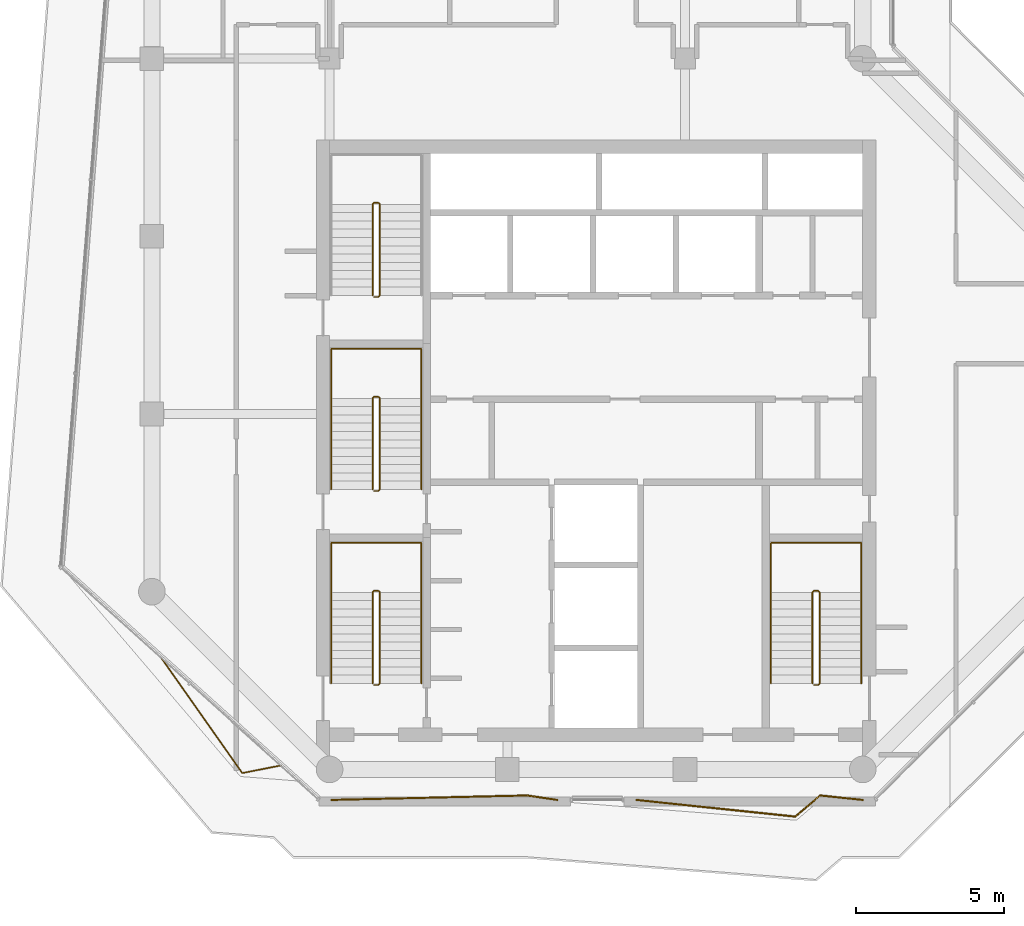
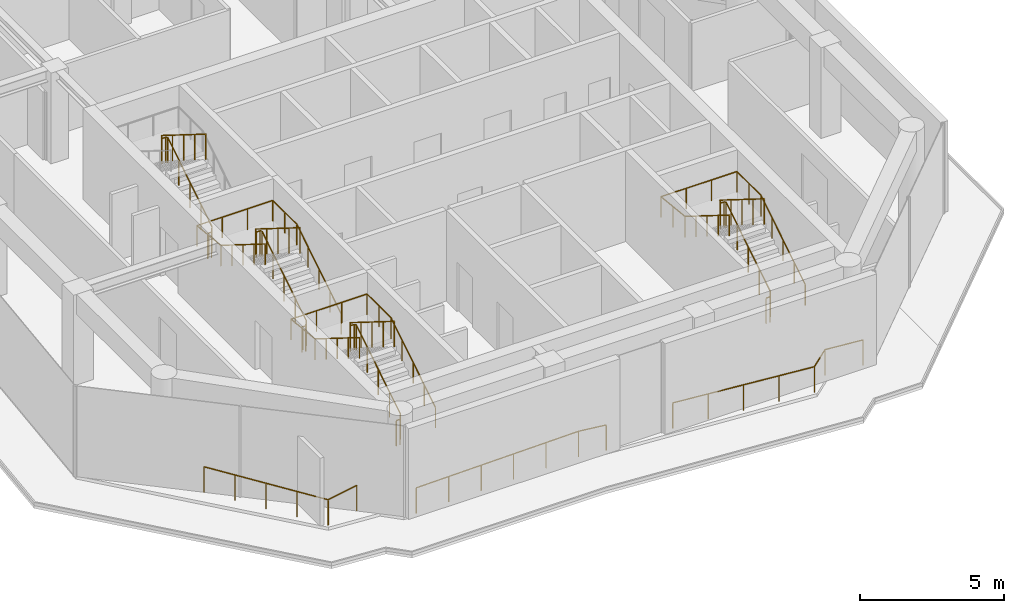
# One storey, part 22 of 23: 10 railings.
"""IFC4 building model written with IfcOpenShell, lengths in metres."""

from ifc_helpers import new_model, si_unit, direction, frame, origin, origin_2d, place, context, subcontext, project, spatial, circle, extrude, material, type_object, element, save


model = new_model("IFC4")

# Units and contexts
model_context = context("Model", 3, precision=1e-05, world=origin(), true_north=direction((0.0, 1.0)))
body_context = subcontext(model_context, "Body", "Model", "MODEL_VIEW")
ifc_project = project(units=[si_unit("LENGTHUNIT", "METRE"), si_unit("AREAUNIT", "SQUARE_METRE"), si_unit("VOLUMEUNIT", "CUBIC_METRE"), si_unit("PLANEANGLEUNIT", "RADIAN"), si_unit("MASSUNIT", "GRAM", prefix="KILO")], contexts=[model_context])

# Site, building, storey
site_placement = place(None, origin())
site = spatial("IfcSite", under=ifc_project, at=site_placement, CompositionType="ELEMENT")
building_placement = place(site_placement, origin())
building = spatial("IfcBuilding", under=site, at=building_placement, Name="Welwitschia Terrace Campus", CompositionType="ELEMENT")
storey_placement = place(building_placement, frame((0.0, 0.0, 247.39990234375)))
storey = spatial("IfcBuildingStorey", under=building, at=storey_placement, Name="L55", CompositionType="ELEMENT", Elevation=247.39990234375)

# Railings
ifc_material_1 = material(Name="Stainless steel grade 316", Category="steel")
railing_type_1 = type_object("IfcRailingType", Name="Guard 1100", PredefinedType="GUARDRAIL", material=ifc_material_1)
railing_1_placement = place(storey_placement, frame((4.349609375, 4.132568359375, 0.0)))
element("IfcRailing", 1, at=railing_1_placement, inside=storey, type_object=railing_type_1, Name="Guard floor edge L55.1", PredefinedType="GUARDRAIL", context=body_context, shape_type="SweptSolid", body=[
    extrude(circle(Radius=0.02392578125, at=origin_2d()), frame((0.0, 0.0, 1.076171875), z_axis=(-0.981137142736, -0.193312977174, 0.0), x_axis=(0.193312977174, -0.981137142736, 0.0)), (0.0, 0.0, 1.0), 1.323486328125),
    extrude(circle(Radius=0.02392578125, at=origin_2d()), frame((-1.298583984375, -0.255859375, 1.076171875), z_axis=(-0.575272240277, 0.817962009855, 0.0), x_axis=(-0.817962009855, -0.575272240277, 0.0)), (0.0, 0.0, 1.0), 4.75830078125),
    extrude(circle(Radius=0.02099609375, at=origin_2d()), origin(), (0.0, 0.0, 1.0), 1.052001953125),
    extrude(circle(Radius=0.02099609375, at=origin_2d()), frame((-1.298583984375, -0.255859375, 0.0)), (0.0, 0.0, 1.0), 1.052001953125),
    extrude(circle(Radius=0.02099609375, at=origin_2d()), frame((-1.98291015625, 0.71728515625, 0.0)), (0.0, 0.0, 1.0), 1.052001953125),
    extrude(circle(Radius=0.02099609375, at=origin_2d()), frame((-2.667236328125, 1.690185546875, 0.0)), (0.0, 0.0, 1.0), 1.052001953125),
    extrude(circle(Radius=0.02099609375, at=origin_2d()), frame((-3.3515625, 2.6630859375, 0.0)), (0.0, 0.0, 1.0), 1.052001953125),
    extrude(circle(Radius=0.02099609375, at=origin_2d()), frame((-4.035888671875, 3.63623046875, 0.0)), (0.0, 0.0, 1.0), 1.052001953125),
])
railing_2_placement = place(storey_placement, frame((13.689208984375, 2.969970703125, 0.0)))
element("IfcRailing", 2, at=railing_2_placement, inside=storey, type_object=railing_type_1, Name="Guard floor edge L55.2", PredefinedType="GUARDRAIL", context=body_context, shape_type="SweptSolid", body=[
    extrude(circle(Radius=0.02392578125, at=origin_2d()), frame((0.0, 0.0, 1.076171875), z_axis=(-0.989404064902, 0.145188141235, 0.0), x_axis=(-0.145188141235, -0.989404064902, 0.0)), (0.0, 0.0, 1.0), 1.0341796875),
    extrude(circle(Radius=0.02392578125, at=origin_2d()), frame((-1.023193359375, 0.150146484375, 1.076171875), z_axis=(-0.999741491879, -0.022736521615, 0.0), x_axis=(0.022736521615, -0.999741491879, 0.0)), (0.0, 0.0, 1.0), 6.603759765625),
    extrude(circle(Radius=0.02099609375, at=origin_2d()), origin(), (0.0, 0.0, 1.0), 1.052001953125),
    extrude(circle(Radius=0.02099609375, at=origin_2d()), frame((-1.023193359375, 0.150146484375, 0.0)), (0.0, 0.0, 1.0), 1.052001953125),
    extrude(circle(Radius=0.02099609375, at=origin_2d()), frame((-2.343505859375, 0.1201171875, 0.0)), (0.0, 0.0, 1.0), 1.052001953125),
    extrude(circle(Radius=0.02099609375, at=origin_2d()), frame((-3.6640625, 0.090087890625, 0.0)), (0.0, 0.0, 1.0), 1.052001953125),
    extrude(circle(Radius=0.02099609375, at=origin_2d()), frame((-4.984375, 0.06005859375, 0.0)), (0.0, 0.0, 1.0), 1.052001953125),
    extrude(circle(Radius=0.02099609375, at=origin_2d()), frame((-6.304931640625, 0.030029296875, 0.0)), (0.0, 0.0, 1.0), 1.052001953125),
    extrude(circle(Radius=0.02099609375, at=origin_2d()), frame((-7.625244140625, 0.0, 0.0)), (0.0, 0.0, 1.0), 1.052001953125),
])
railing_3_placement = place(storey_placement, frame((24.0029296875, 2.969970703125, 0.0)))
element("IfcRailing", 3, at=railing_3_placement, inside=storey, type_object=railing_type_1, Name="Guard floor edge L55.4", PredefinedType="GUARDRAIL", context=body_context, shape_type="SweptSolid", body=[
    extrude(circle(Radius=0.02392578125, at=origin_2d()), frame((0.0, 0.0, 1.076171875), z_axis=(-0.994652604012, 0.103277283719, 0.0), x_axis=(-0.103277283719, -0.994652604012, 0.0)), (0.0, 0.0, 1.0), 1.453857421875),
    extrude(circle(Radius=0.02392578125, at=origin_2d()), frame((-1.446044921875, 0.150146484375, 1.076171875), z_axis=(-0.76032332533, -0.649544795191, 0.0), x_axis=(0.649544795191, -0.76032332533, 0.0)), (0.0, 0.0, 1.0), 1.097412109375),
    extrude(circle(Radius=0.02392578125, at=origin_2d()), frame((-2.280517578125, -0.562744140625, 1.076171875), z_axis=(-0.99453790908, 0.104375990549, 0.0), x_axis=(-0.104375990549, -0.99453790908, 0.0)), (0.0, 0.0, 1.0), 5.3916015625),
    extrude(circle(Radius=0.02099609375, at=origin_2d()), origin(), (0.0, 0.0, 1.0), 1.052001953125),
    extrude(circle(Radius=0.02099609375, at=origin_2d()), frame((-1.446044921875, 0.150146484375, 0.0)), (0.0, 0.0, 1.0), 1.052001953125),
    extrude(circle(Radius=0.02099609375, at=origin_2d()), frame((-2.280517578125, -0.562744140625, 0.0)), (0.0, 0.0, 1.0), 1.052001953125),
    extrude(circle(Radius=0.02099609375, at=origin_2d()), frame((-3.62109375, -0.422119140625, 0.0)), (0.0, 0.0, 1.0), 1.052001953125),
    extrude(circle(Radius=0.02099609375, at=origin_2d()), frame((-4.96142578125, -0.28125, 0.0)), (0.0, 0.0, 1.0), 1.052001953125),
    extrude(circle(Radius=0.02099609375, at=origin_2d()), frame((-6.302001953125, -0.140625, 0.0)), (0.0, 0.0, 1.0), 1.052001953125),
    extrude(circle(Radius=0.02099609375, at=origin_2d()), frame((-7.642578125, 0.0, 0.0)), (0.0, 0.0, 1.0), 1.052001953125),
])
ifc_material_2 = material(Name="Steel S355", Category="steel")
railing_type_2 = type_object("IfcRailingType", Name="Stair guard 1100", PredefinedType="GUARDRAIL", material=ifc_material_2)
railing_4_placement = place(storey_placement, frame((7.5, 6.85009765625, 0.0)))
element("IfcRailing", 4, at=railing_4_placement, inside=storey, type_object=railing_type_2, Name="L55 S1 stair guard", PredefinedType="GUARDRAIL", context=body_context, shape_type="SweptSolid", body=[
    extrude(circle(Radius=0.02392578125, at=origin_2d()), frame((0.0, 0.0, 1.076171875), z_axis=(1.0, 0.0, 0.0), x_axis=(0.0, 1.0, 0.0)), (0.0, 0.0, 1.0), 0.14990234375),
    extrude(circle(Radius=0.02392578125, at=origin_2d()), frame((0.14990234375, 0.0, 1.076171875), z_axis=(0.265155923931, 0.263862480399, 0.927399011991), x_axis=(-0.705375805398, 0.708833529934, 0.0)), (0.0, 0.0, 1.0), 0.188720703125),
    extrude(circle(Radius=0.02392578125, at=origin_2d()), frame((0.199951171875, 0.0498046875, 1.2509765625), z_axis=(0.0, 0.847998304005, 0.529998940003), x_axis=(-1.0, 0.0, 0.0)), (0.0, 0.0, 1.0), 3.632080078125),
    extrude(circle(Radius=0.02392578125, at=origin_2d()), frame((0.199951171875, 3.1298828125, 3.17626953125), z_axis=(-0.707106781187, 0.707106781187, 0.0), x_axis=(-0.707106781187, -0.707106781187, 0.0)), (0.0, 0.0, 1.0), 0.07080078125),
    extrude(circle(Radius=0.02392578125, at=origin_2d()), frame((0.14990234375, 3.179931640625, 3.17626953125), z_axis=(-1.0, 0.0, 0.0), x_axis=(0.0, -1.0, 0.0)), (0.0, 0.0, 1.0), 0.14990234375),
    extrude(circle(Radius=0.02392578125, at=origin_2d()), frame((0.0, 3.179931640625, 3.17626953125), z_axis=(-0.265065253269, -0.265065253269, 0.927081885822), x_axis=(0.707106781187, -0.707106781187, 0.0)), (0.0, 0.0, 1.0), 0.188720703125),
    extrude(circle(Radius=0.02392578125, at=origin_2d()), frame((-0.050048828125, 3.1298828125, 3.35107421875), z_axis=(0.0, -0.847998304005, 0.529998940003), x_axis=(1.0, 0.0, 0.0)), (0.0, 0.0, 1.0), 3.632080078125),
    extrude(circle(Radius=0.02099609375, at=origin_2d()), origin(), (0.0, 0.0, 1.0), 1.052001953125),
    extrude(circle(Radius=0.02099609375, at=origin_2d()), frame((0.14990234375, 0.0, 0.0)), (0.0, 0.0, 1.0), 1.052001953125),
    extrude(circle(Radius=0.02099609375, at=origin_2d()), frame((0.199951171875, 0.0498046875, 0.175048828125)), (0.0, 0.0, 1.0), 1.052001953125),
    extrude(circle(Radius=0.02099609375, at=origin_2d()), frame((0.199951171875, 0.81982421875, 0.65625)), (0.0, 0.0, 1.0), 1.052001953125),
    extrude(circle(Radius=0.02099609375, at=origin_2d()), frame((0.199951171875, 1.58984375, 1.1376953125)), (0.0, 0.0, 1.0), 1.052001953125),
    extrude(circle(Radius=0.02099609375, at=origin_2d()), frame((0.199951171875, 2.35986328125, 1.618896484375)), (0.0, 0.0, 1.0), 1.052001953125),
    extrude(circle(Radius=0.02099609375, at=origin_2d()), frame((0.199951171875, 3.1298828125, 2.10009765625)), (0.0, 0.0, 1.0), 1.052001953125),
    extrude(circle(Radius=0.02099609375, at=origin_2d()), frame((0.14990234375, 3.179931640625, 2.10009765625)), (0.0, 0.0, 1.0), 1.052001953125),
    extrude(circle(Radius=0.02099609375, at=origin_2d()), frame((0.0, 3.179931640625, 2.10009765625)), (0.0, 0.0, 1.0), 1.052001953125),
    extrude(circle(Radius=0.02099609375, at=origin_2d()), frame((-0.050048828125, 3.1298828125, 2.275146484375)), (0.0, 0.0, 1.0), 1.052001953125),
    extrude(circle(Radius=0.02099609375, at=origin_2d()), frame((-0.050048828125, 2.35986328125, 2.75634765625)), (0.0, 0.0, 1.0), 1.052001953125),
    extrude(circle(Radius=0.02099609375, at=origin_2d()), frame((-0.050048828125, 1.58984375, 3.23779296875)), (0.0, 0.0, 1.0), 1.052001953125),
    extrude(circle(Radius=0.02099609375, at=origin_2d()), frame((-0.050048828125, 0.81982421875, 3.718994140625)), (0.0, 0.0, 1.0), 1.052001953125),
    extrude(circle(Radius=0.02099609375, at=origin_2d()), frame((-0.050048828125, 0.0498046875, 4.2001953125)), (0.0, 0.0, 1.0), 1.052001953125),
])
railing_5_placement = place(storey_placement, frame((7.5, 13.39990234375, 0.0)))
element("IfcRailing", 5, at=railing_5_placement, inside=storey, type_object=railing_type_2, Name="L55 S3 stair guard", PredefinedType="GUARDRAIL", context=body_context, shape_type="SweptSolid", body=[
    extrude(circle(Radius=0.02392578125, at=origin_2d()), frame((0.0, 0.0, 1.076171875), z_axis=(1.0, 0.0, 0.0), x_axis=(0.0, 1.0, 0.0)), (0.0, 0.0, 1.0), 0.14990234375),
    extrude(circle(Radius=0.02392578125, at=origin_2d()), frame((0.14990234375, 0.0, 1.076171875), z_axis=(0.265065253269, 0.265065253269, 0.927081885822), x_axis=(-0.707106781187, 0.707106781187, 0.0)), (0.0, 0.0, 1.0), 0.188720703125),
    extrude(circle(Radius=0.02392578125, at=origin_2d()), frame((0.199951171875, 0.050048828125, 1.2509765625), z_axis=(0.0, 0.847998304005, 0.529998940003), x_axis=(-1.0, 0.0, 0.0)), (0.0, 0.0, 1.0), 3.632080078125),
    extrude(circle(Radius=0.02392578125, at=origin_2d()), frame((0.199951171875, 3.130126953125, 3.17626953125), z_axis=(-0.707106781187, 0.707106781187, 0.0), x_axis=(-0.707106781187, -0.707106781187, 0.0)), (0.0, 0.0, 1.0), 0.07080078125),
    extrude(circle(Radius=0.02392578125, at=origin_2d()), frame((0.14990234375, 3.18017578125, 3.17626953125), z_axis=(-1.0, 0.0, 0.0), x_axis=(0.0, -1.0, 0.0)), (0.0, 0.0, 1.0), 0.14990234375),
    extrude(circle(Radius=0.02392578125, at=origin_2d()), frame((0.0, 3.18017578125, 3.17626953125), z_axis=(-0.265065253269, -0.265065253269, 0.927081885822), x_axis=(0.707106781187, -0.707106781187, 0.0)), (0.0, 0.0, 1.0), 0.188720703125),
    extrude(circle(Radius=0.02392578125, at=origin_2d()), frame((-0.050048828125, 3.130126953125, 3.35107421875), z_axis=(0.0, -0.847998304005, 0.529998940003), x_axis=(1.0, 0.0, 0.0)), (0.0, 0.0, 1.0), 3.632080078125),
    extrude(circle(Radius=0.02099609375, at=origin_2d()), origin(), (0.0, 0.0, 1.0), 1.052001953125),
    extrude(circle(Radius=0.02099609375, at=origin_2d()), frame((0.14990234375, 0.0, 0.0)), (0.0, 0.0, 1.0), 1.052001953125),
    extrude(circle(Radius=0.02099609375, at=origin_2d()), frame((0.199951171875, 0.050048828125, 0.175048828125)), (0.0, 0.0, 1.0), 1.052001953125),
    extrude(circle(Radius=0.02099609375, at=origin_2d()), frame((0.199951171875, 0.820068359375, 0.65625)), (0.0, 0.0, 1.0), 1.052001953125),
    extrude(circle(Radius=0.02099609375, at=origin_2d()), frame((0.199951171875, 1.590087890625, 1.1376953125)), (0.0, 0.0, 1.0), 1.052001953125),
    extrude(circle(Radius=0.02099609375, at=origin_2d()), frame((0.199951171875, 2.360107421875, 1.618896484375)), (0.0, 0.0, 1.0), 1.052001953125),
    extrude(circle(Radius=0.02099609375, at=origin_2d()), frame((0.199951171875, 3.130126953125, 2.10009765625)), (0.0, 0.0, 1.0), 1.052001953125),
    extrude(circle(Radius=0.02099609375, at=origin_2d()), frame((0.14990234375, 3.18017578125, 2.10009765625)), (0.0, 0.0, 1.0), 1.052001953125),
    extrude(circle(Radius=0.02099609375, at=origin_2d()), frame((0.0, 3.18017578125, 2.10009765625)), (0.0, 0.0, 1.0), 1.052001953125),
    extrude(circle(Radius=0.02099609375, at=origin_2d()), frame((-0.050048828125, 3.130126953125, 2.275146484375)), (0.0, 0.0, 1.0), 1.052001953125),
    extrude(circle(Radius=0.02099609375, at=origin_2d()), frame((-0.050048828125, 2.360107421875, 2.75634765625)), (0.0, 0.0, 1.0), 1.052001953125),
    extrude(circle(Radius=0.02099609375, at=origin_2d()), frame((-0.050048828125, 1.590087890625, 3.23779296875)), (0.0, 0.0, 1.0), 1.052001953125),
    extrude(circle(Radius=0.02099609375, at=origin_2d()), frame((-0.050048828125, 0.820068359375, 3.718994140625)), (0.0, 0.0, 1.0), 1.052001953125),
    extrude(circle(Radius=0.02099609375, at=origin_2d()), frame((-0.050048828125, 0.050048828125, 4.2001953125)), (0.0, 0.0, 1.0), 1.052001953125),
])
railing_6_placement = place(storey_placement, frame((7.5, 19.949951171875, 0.0)))
element("IfcRailing", 6, at=railing_6_placement, inside=storey, type_object=railing_type_2, Name="L55 S4 stair guard", PredefinedType="GUARDRAIL", context=body_context, shape_type="SweptSolid", body=[
    extrude(circle(Radius=0.02392578125, at=origin_2d()), frame((0.0, 0.0, 1.076171875), z_axis=(1.0, 0.0, 0.0), x_axis=(0.0, 1.0, 0.0)), (0.0, 0.0, 1.0), 0.14990234375),
    extrude(circle(Radius=0.02392578125, at=origin_2d()), frame((0.14990234375, 0.0, 1.076171875), z_axis=(0.265065253269, 0.265065253269, 0.927081885822), x_axis=(-0.707106781187, 0.707106781187, 0.0)), (0.0, 0.0, 1.0), 0.188720703125),
    extrude(circle(Radius=0.02392578125, at=origin_2d()), frame((0.199951171875, 0.050048828125, 1.2509765625), z_axis=(0.0, 0.847998304005, 0.529998940003), x_axis=(-1.0, 0.0, 0.0)), (0.0, 0.0, 1.0), 3.632080078125),
    extrude(circle(Radius=0.02392578125, at=origin_2d()), frame((0.199951171875, 3.130126953125, 3.17626953125), z_axis=(-0.708833529934, 0.705375805398, 0.0), x_axis=(-0.705375805398, -0.708833529934, 0.0)), (0.0, 0.0, 1.0), 0.070556640625),
    extrude(circle(Radius=0.02392578125, at=origin_2d()), frame((0.14990234375, 3.179931640625, 3.17626953125), z_axis=(-1.0, 0.0, 0.0), x_axis=(0.0, -1.0, 0.0)), (0.0, 0.0, 1.0), 0.14990234375),
    extrude(circle(Radius=0.02392578125, at=origin_2d()), frame((0.0, 3.179931640625, 3.17626953125), z_axis=(-0.265155923931, -0.263862480399, 0.927399011991), x_axis=(0.705375805398, -0.708833529934, 0.0)), (0.0, 0.0, 1.0), 0.188720703125),
    extrude(circle(Radius=0.02392578125, at=origin_2d()), frame((-0.050048828125, 3.130126953125, 3.35107421875), z_axis=(0.0, -0.847998304005, 0.529998940003), x_axis=(1.0, 0.0, 0.0)), (0.0, 0.0, 1.0), 3.632080078125),
    extrude(circle(Radius=0.02099609375, at=origin_2d()), origin(), (0.0, 0.0, 1.0), 1.052001953125),
    extrude(circle(Radius=0.02099609375, at=origin_2d()), frame((0.14990234375, 0.0, 0.0)), (0.0, 0.0, 1.0), 1.052001953125),
    extrude(circle(Radius=0.02099609375, at=origin_2d()), frame((0.199951171875, 0.050048828125, 0.175048828125)), (0.0, 0.0, 1.0), 1.052001953125),
    extrude(circle(Radius=0.02099609375, at=origin_2d()), frame((0.199951171875, 0.820068359375, 0.65625)), (0.0, 0.0, 1.0), 1.052001953125),
    extrude(circle(Radius=0.02099609375, at=origin_2d()), frame((0.199951171875, 1.590087890625, 1.1376953125)), (0.0, 0.0, 1.0), 1.052001953125),
    extrude(circle(Radius=0.02099609375, at=origin_2d()), frame((0.199951171875, 2.360107421875, 1.618896484375)), (0.0, 0.0, 1.0), 1.052001953125),
    extrude(circle(Radius=0.02099609375, at=origin_2d()), frame((0.199951171875, 3.130126953125, 2.10009765625)), (0.0, 0.0, 1.0), 1.052001953125),
    extrude(circle(Radius=0.02099609375, at=origin_2d()), frame((0.14990234375, 3.179931640625, 2.10009765625)), (0.0, 0.0, 1.0), 1.052001953125),
    extrude(circle(Radius=0.02099609375, at=origin_2d()), frame((0.0, 3.179931640625, 2.10009765625)), (0.0, 0.0, 1.0), 1.052001953125),
    extrude(circle(Radius=0.02099609375, at=origin_2d()), frame((-0.050048828125, 3.130126953125, 2.275146484375)), (0.0, 0.0, 1.0), 1.052001953125),
    extrude(circle(Radius=0.02099609375, at=origin_2d()), frame((-0.050048828125, 2.360107421875, 2.75634765625)), (0.0, 0.0, 1.0), 1.052001953125),
    extrude(circle(Radius=0.02099609375, at=origin_2d()), frame((-0.050048828125, 1.590087890625, 3.23779296875)), (0.0, 0.0, 1.0), 1.052001953125),
    extrude(circle(Radius=0.02099609375, at=origin_2d()), frame((-0.050048828125, 0.820068359375, 3.718994140625)), (0.0, 0.0, 1.0), 1.052001953125),
    extrude(circle(Radius=0.02099609375, at=origin_2d()), frame((-0.050048828125, 0.050048828125, 4.2001953125)), (0.0, 0.0, 1.0), 1.052001953125),
])
railing_7_placement = place(storey_placement, frame((22.35009765625, 6.85009765625, 0.0)))
element("IfcRailing", 7, at=railing_7_placement, inside=storey, type_object=railing_type_2, Name="L55 S2 stair guard", PredefinedType="GUARDRAIL", context=body_context, shape_type="SweptSolid", body=[
    extrude(circle(Radius=0.02392578125, at=origin_2d()), frame((0.0, 0.0, 1.076171875), z_axis=(1.0, 0.0, 0.0), x_axis=(0.0, 1.0, 0.0)), (0.0, 0.0, 1.0), 0.14990234375),
    extrude(circle(Radius=0.02392578125, at=origin_2d()), frame((0.14990234375, 0.0, 1.076171875), z_axis=(0.265155923931, 0.263862480399, 0.927399011991), x_axis=(-0.705375805398, 0.708833529934, 0.0)), (0.0, 0.0, 1.0), 0.188720703125),
    extrude(circle(Radius=0.02392578125, at=origin_2d()), frame((0.199951171875, 0.0498046875, 1.2509765625), z_axis=(0.0, 0.847998304005, 0.529998940003), x_axis=(-1.0, 0.0, 0.0)), (0.0, 0.0, 1.0), 3.632080078125),
    extrude(circle(Radius=0.02392578125, at=origin_2d()), frame((0.199951171875, 3.1298828125, 3.17626953125), z_axis=(-0.707106781187, 0.707106781187, 0.0), x_axis=(-0.707106781187, -0.707106781187, 0.0)), (0.0, 0.0, 1.0), 0.07080078125),
    extrude(circle(Radius=0.02392578125, at=origin_2d()), frame((0.14990234375, 3.179931640625, 3.17626953125), z_axis=(-1.0, 0.0, 0.0), x_axis=(0.0, -1.0, 0.0)), (0.0, 0.0, 1.0), 0.14990234375),
    extrude(circle(Radius=0.02392578125, at=origin_2d()), frame((0.0, 3.179931640625, 3.17626953125), z_axis=(-0.265065253269, -0.265065253269, 0.927081885822), x_axis=(0.707106781187, -0.707106781187, 0.0)), (0.0, 0.0, 1.0), 0.188720703125),
    extrude(circle(Radius=0.02392578125, at=origin_2d()), frame((-0.050048828125, 3.1298828125, 3.35107421875), z_axis=(0.0, -0.847998304005, 0.529998940003), x_axis=(1.0, 0.0, 0.0)), (0.0, 0.0, 1.0), 3.632080078125),
    extrude(circle(Radius=0.02099609375, at=origin_2d()), origin(), (0.0, 0.0, 1.0), 1.052001953125),
    extrude(circle(Radius=0.02099609375, at=origin_2d()), frame((0.14990234375, 0.0, 0.0)), (0.0, 0.0, 1.0), 1.052001953125),
    extrude(circle(Radius=0.02099609375, at=origin_2d()), frame((0.199951171875, 0.0498046875, 0.175048828125)), (0.0, 0.0, 1.0), 1.052001953125),
    extrude(circle(Radius=0.02099609375, at=origin_2d()), frame((0.199951171875, 0.81982421875, 0.65625)), (0.0, 0.0, 1.0), 1.052001953125),
    extrude(circle(Radius=0.02099609375, at=origin_2d()), frame((0.199951171875, 1.58984375, 1.1376953125)), (0.0, 0.0, 1.0), 1.052001953125),
    extrude(circle(Radius=0.02099609375, at=origin_2d()), frame((0.199951171875, 2.35986328125, 1.618896484375)), (0.0, 0.0, 1.0), 1.052001953125),
    extrude(circle(Radius=0.02099609375, at=origin_2d()), frame((0.199951171875, 3.1298828125, 2.10009765625)), (0.0, 0.0, 1.0), 1.052001953125),
    extrude(circle(Radius=0.02099609375, at=origin_2d()), frame((0.14990234375, 3.179931640625, 2.10009765625)), (0.0, 0.0, 1.0), 1.052001953125),
    extrude(circle(Radius=0.02099609375, at=origin_2d()), frame((0.0, 3.179931640625, 2.10009765625)), (0.0, 0.0, 1.0), 1.052001953125),
    extrude(circle(Radius=0.02099609375, at=origin_2d()), frame((-0.050048828125, 3.1298828125, 2.275146484375)), (0.0, 0.0, 1.0), 1.052001953125),
    extrude(circle(Radius=0.02099609375, at=origin_2d()), frame((-0.050048828125, 2.35986328125, 2.75634765625)), (0.0, 0.0, 1.0), 1.052001953125),
    extrude(circle(Radius=0.02099609375, at=origin_2d()), frame((-0.050048828125, 1.58984375, 3.23779296875)), (0.0, 0.0, 1.0), 1.052001953125),
    extrude(circle(Radius=0.02099609375, at=origin_2d()), frame((-0.050048828125, 0.81982421875, 3.718994140625)), (0.0, 0.0, 1.0), 1.052001953125),
    extrude(circle(Radius=0.02099609375, at=origin_2d()), frame((-0.050048828125, 0.0498046875, 4.2001953125)), (0.0, 0.0, 1.0), 1.052001953125),
])
ifc_material_3 = material(Name="Steel S355", Category="steel")
railing_type_3 = type_object("IfcRailingType", Name="Stair handrail 900", PredefinedType="HANDRAIL", material=ifc_material_3)
railing_8_placement = place(storey_placement, frame((9.10009765625, 6.89990234375, 0.175048828125)))
element("IfcRailing", 8, at=railing_8_placement, inside=storey, type_object=railing_type_3, Name="L55 S1 stair handrail", PredefinedType="HANDRAIL", context=body_context, shape_type="SweptSolid", body=[
    extrude(circle(Radius=0.02392578125, at=origin_2d()), frame((0.0, 0.0, 0.8759765625), z_axis=(0.0, 0.847998304005, 0.529998940003), x_axis=(-1.0, 0.0, 0.0)), (0.0, 0.0, 1.0), 3.632080078125),
    extrude(circle(Radius=0.02392578125, at=origin_2d()), frame((0.0, 3.080078125, 2.80078125), z_axis=(0.0, 1.0, 0.0), x_axis=(-1.0, 0.0, 0.0)), (0.0, 0.0, 1.0), 1.669921875),
    extrude(circle(Radius=0.02392578125, at=origin_2d()), frame((0.0, 4.75, 2.80078125), z_axis=(-1.0, 0.0, 0.0), x_axis=(0.0, -1.0, 0.0)), (0.0, 0.0, 1.0), 3.050048828125),
    extrude(circle(Radius=0.02392578125, at=origin_2d()), frame((-3.050048828125, 4.75, 2.80078125), z_axis=(0.0, -0.99455077262, 0.104253348533), x_axis=(1.0, 0.0, 0.0)), (0.0, 0.0, 1.0), 1.678955078125),
    extrude(circle(Radius=0.02392578125, at=origin_2d()), frame((-3.050048828125, 3.080078125, 2.97607421875), z_axis=(0.0, -0.847998304005, 0.529998940003), x_axis=(1.0, 0.0, 0.0)), (0.0, 0.0, 1.0), 3.632080078125),
    extrude(circle(Radius=0.02099609375, at=origin_2d()), origin(), (0.0, 0.0, 1.0), 0.851806640625),
    extrude(circle(Radius=0.02099609375, at=origin_2d()), frame((0.0, 0.77001953125, 0.481201171875)), (0.0, 0.0, 1.0), 0.851806640625),
    extrude(circle(Radius=0.02099609375, at=origin_2d()), frame((0.0, 1.5400390625, 0.96240234375)), (0.0, 0.0, 1.0), 0.851806640625),
    extrude(circle(Radius=0.02099609375, at=origin_2d()), frame((0.0, 2.31005859375, 1.44384765625)), (0.0, 0.0, 1.0), 0.851806640625),
    extrude(circle(Radius=0.02099609375, at=origin_2d()), frame((0.0, 3.080078125, 1.925048828125)), (0.0, 0.0, 1.0), 0.851806640625),
    extrude(circle(Radius=0.02099609375, at=origin_2d()), frame((0.0, 3.9150390625, 1.925048828125)), (0.0, 0.0, 1.0), 0.851806640625),
    extrude(circle(Radius=0.02099609375, at=origin_2d()), frame((0.0, 4.75, 1.925048828125)), (0.0, 0.0, 1.0), 0.851806640625),
    extrude(circle(Radius=0.02099609375, at=origin_2d()), frame((-1.0166015625, 4.75, 1.925048828125)), (0.0, 0.0, 1.0), 0.851806640625),
    extrude(circle(Radius=0.02099609375, at=origin_2d()), frame((-2.033447265625, 4.75, 1.925048828125)), (0.0, 0.0, 1.0), 0.851806640625),
    extrude(circle(Radius=0.02099609375, at=origin_2d()), frame((-3.050048828125, 4.75, 1.925048828125)), (0.0, 0.0, 1.0), 0.851806640625),
    extrude(circle(Radius=0.02099609375, at=origin_2d()), frame((-3.050048828125, 3.9150390625, 2.0126953125)), (0.0, 0.0, 1.0), 0.851806640625),
    extrude(circle(Radius=0.02099609375, at=origin_2d()), frame((-3.050048828125, 3.080078125, 2.10009765625)), (0.0, 0.0, 1.0), 0.851806640625),
    extrude(circle(Radius=0.02099609375, at=origin_2d()), frame((-3.050048828125, 2.31005859375, 2.581298828125)), (0.0, 0.0, 1.0), 0.851806640625),
    extrude(circle(Radius=0.02099609375, at=origin_2d()), frame((-3.050048828125, 1.5400390625, 3.0625)), (0.0, 0.0, 1.0), 0.851806640625),
    extrude(circle(Radius=0.02099609375, at=origin_2d()), frame((-3.050048828125, 0.77001953125, 3.5439453125)), (0.0, 0.0, 1.0), 0.851806640625),
    extrude(circle(Radius=0.02099609375, at=origin_2d()), frame((-3.050048828125, 0.0, 4.025146484375)), (0.0, 0.0, 1.0), 0.851806640625),
])
railing_9_placement = place(storey_placement, frame((9.10009765625, 13.449951171875, 0.175048828125)))
element("IfcRailing", 9, at=railing_9_placement, inside=storey, type_object=railing_type_3, Name="L55 S3 stair handrail", PredefinedType="HANDRAIL", context=body_context, shape_type="SweptSolid", body=[
    extrude(circle(Radius=0.02392578125, at=origin_2d()), frame((0.0, 0.0, 0.8759765625), z_axis=(0.0, 0.847998304005, 0.529998940003), x_axis=(-1.0, 0.0, 0.0)), (0.0, 0.0, 1.0), 3.632080078125),
    extrude(circle(Radius=0.02392578125, at=origin_2d()), frame((0.0, 3.080078125, 2.80078125), z_axis=(0.0, 1.0, 0.0), x_axis=(-1.0, 0.0, 0.0)), (0.0, 0.0, 1.0), 1.669921875),
    extrude(circle(Radius=0.02392578125, at=origin_2d()), frame((0.0, 4.75, 2.80078125), z_axis=(-1.0, 0.0, 0.0), x_axis=(0.0, -1.0, 0.0)), (0.0, 0.0, 1.0), 3.050048828125),
    extrude(circle(Radius=0.02392578125, at=origin_2d()), frame((-3.050048828125, 4.75, 2.80078125), z_axis=(0.0, -0.99455077262, 0.104253348533), x_axis=(1.0, 0.0, 0.0)), (0.0, 0.0, 1.0), 1.678955078125),
    extrude(circle(Radius=0.02392578125, at=origin_2d()), frame((-3.050048828125, 3.080078125, 2.97607421875), z_axis=(0.0, -0.847998304005, 0.529998940003), x_axis=(1.0, 0.0, 0.0)), (0.0, 0.0, 1.0), 3.632080078125),
    extrude(circle(Radius=0.02099609375, at=origin_2d()), origin(), (0.0, 0.0, 1.0), 0.851806640625),
    extrude(circle(Radius=0.02099609375, at=origin_2d()), frame((0.0, 0.77001953125, 0.481201171875)), (0.0, 0.0, 1.0), 0.851806640625),
    extrude(circle(Radius=0.02099609375, at=origin_2d()), frame((0.0, 1.5400390625, 0.96240234375)), (0.0, 0.0, 1.0), 0.851806640625),
    extrude(circle(Radius=0.02099609375, at=origin_2d()), frame((0.0, 2.31005859375, 1.44384765625)), (0.0, 0.0, 1.0), 0.851806640625),
    extrude(circle(Radius=0.02099609375, at=origin_2d()), frame((0.0, 3.080078125, 1.925048828125)), (0.0, 0.0, 1.0), 0.851806640625),
    extrude(circle(Radius=0.02099609375, at=origin_2d()), frame((0.0, 3.9150390625, 1.925048828125)), (0.0, 0.0, 1.0), 0.851806640625),
    extrude(circle(Radius=0.02099609375, at=origin_2d()), frame((0.0, 4.75, 1.925048828125)), (0.0, 0.0, 1.0), 0.851806640625),
    extrude(circle(Radius=0.02099609375, at=origin_2d()), frame((-1.0166015625, 4.75, 1.925048828125)), (0.0, 0.0, 1.0), 0.851806640625),
    extrude(circle(Radius=0.02099609375, at=origin_2d()), frame((-2.033447265625, 4.75, 1.925048828125)), (0.0, 0.0, 1.0), 0.851806640625),
    extrude(circle(Radius=0.02099609375, at=origin_2d()), frame((-3.050048828125, 4.75, 1.925048828125)), (0.0, 0.0, 1.0), 0.851806640625),
    extrude(circle(Radius=0.02099609375, at=origin_2d()), frame((-3.050048828125, 3.9150390625, 2.0126953125)), (0.0, 0.0, 1.0), 0.851806640625),
    extrude(circle(Radius=0.02099609375, at=origin_2d()), frame((-3.050048828125, 3.080078125, 2.10009765625)), (0.0, 0.0, 1.0), 0.851806640625),
    extrude(circle(Radius=0.02099609375, at=origin_2d()), frame((-3.050048828125, 2.31005859375, 2.581298828125)), (0.0, 0.0, 1.0), 0.851806640625),
    extrude(circle(Radius=0.02099609375, at=origin_2d()), frame((-3.050048828125, 1.5400390625, 3.0625)), (0.0, 0.0, 1.0), 0.851806640625),
    extrude(circle(Radius=0.02099609375, at=origin_2d()), frame((-3.050048828125, 0.77001953125, 3.5439453125)), (0.0, 0.0, 1.0), 0.851806640625),
    extrude(circle(Radius=0.02099609375, at=origin_2d()), frame((-3.050048828125, 0.0, 4.025146484375)), (0.0, 0.0, 1.0), 0.851806640625),
])
railing_10_placement = place(storey_placement, frame((23.949951171875, 6.89990234375, 0.175048828125)))
element("IfcRailing", 10, at=railing_10_placement, inside=storey, type_object=railing_type_3, Name="L55 S2 stair handrail", PredefinedType="HANDRAIL", context=body_context, shape_type="SweptSolid", body=[
    extrude(circle(Radius=0.02392578125, at=origin_2d()), frame((0.0, 0.0, 0.8759765625), z_axis=(0.0, 0.847998304005, 0.529998940003), x_axis=(-1.0, 0.0, 0.0)), (0.0, 0.0, 1.0), 3.632080078125),
    extrude(circle(Radius=0.02392578125, at=origin_2d()), frame((0.0, 3.080078125, 2.80078125), z_axis=(0.0, 1.0, 0.0), x_axis=(-1.0, 0.0, 0.0)), (0.0, 0.0, 1.0), 1.669921875),
    extrude(circle(Radius=0.02392578125, at=origin_2d()), frame((0.0, 4.75, 2.80078125), z_axis=(-1.0, 0.0, 0.0), x_axis=(0.0, -1.0, 0.0)), (0.0, 0.0, 1.0), 3.050048828125),
    extrude(circle(Radius=0.02392578125, at=origin_2d()), frame((-3.050048828125, 4.75, 2.80078125), z_axis=(0.0, -0.99455077262, 0.104253348533), x_axis=(1.0, 0.0, 0.0)), (0.0, 0.0, 1.0), 1.678955078125),
    extrude(circle(Radius=0.02392578125, at=origin_2d()), frame((-3.050048828125, 3.080078125, 2.97607421875), z_axis=(0.0, -0.847998304005, 0.529998940003), x_axis=(1.0, 0.0, 0.0)), (0.0, 0.0, 1.0), 3.632080078125),
    extrude(circle(Radius=0.02099609375, at=origin_2d()), origin(), (0.0, 0.0, 1.0), 0.851806640625),
    extrude(circle(Radius=0.02099609375, at=origin_2d()), frame((0.0, 0.77001953125, 0.481201171875)), (0.0, 0.0, 1.0), 0.851806640625),
    extrude(circle(Radius=0.02099609375, at=origin_2d()), frame((0.0, 1.5400390625, 0.96240234375)), (0.0, 0.0, 1.0), 0.851806640625),
    extrude(circle(Radius=0.02099609375, at=origin_2d()), frame((0.0, 2.31005859375, 1.44384765625)), (0.0, 0.0, 1.0), 0.851806640625),
    extrude(circle(Radius=0.02099609375, at=origin_2d()), frame((0.0, 3.080078125, 1.925048828125)), (0.0, 0.0, 1.0), 0.851806640625),
    extrude(circle(Radius=0.02099609375, at=origin_2d()), frame((0.0, 3.9150390625, 1.925048828125)), (0.0, 0.0, 1.0), 0.851806640625),
    extrude(circle(Radius=0.02099609375, at=origin_2d()), frame((0.0, 4.75, 1.925048828125)), (0.0, 0.0, 1.0), 0.851806640625),
    extrude(circle(Radius=0.02099609375, at=origin_2d()), frame((-1.0166015625, 4.75, 1.925048828125)), (0.0, 0.0, 1.0), 0.851806640625),
    extrude(circle(Radius=0.02099609375, at=origin_2d()), frame((-2.033447265625, 4.75, 1.925048828125)), (0.0, 0.0, 1.0), 0.851806640625),
    extrude(circle(Radius=0.02099609375, at=origin_2d()), frame((-3.050048828125, 4.75, 1.925048828125)), (0.0, 0.0, 1.0), 0.851806640625),
    extrude(circle(Radius=0.02099609375, at=origin_2d()), frame((-3.050048828125, 3.9150390625, 2.0126953125)), (0.0, 0.0, 1.0), 0.851806640625),
    extrude(circle(Radius=0.02099609375, at=origin_2d()), frame((-3.050048828125, 3.080078125, 2.10009765625)), (0.0, 0.0, 1.0), 0.851806640625),
    extrude(circle(Radius=0.02099609375, at=origin_2d()), frame((-3.050048828125, 2.31005859375, 2.581298828125)), (0.0, 0.0, 1.0), 0.851806640625),
    extrude(circle(Radius=0.02099609375, at=origin_2d()), frame((-3.050048828125, 1.5400390625, 3.0625)), (0.0, 0.0, 1.0), 0.851806640625),
    extrude(circle(Radius=0.02099609375, at=origin_2d()), frame((-3.050048828125, 0.77001953125, 3.5439453125)), (0.0, 0.0, 1.0), 0.851806640625),
    extrude(circle(Radius=0.02099609375, at=origin_2d()), frame((-3.050048828125, 0.0, 4.025146484375)), (0.0, 0.0, 1.0), 0.851806640625),
])

save(model, "model.ifc")
